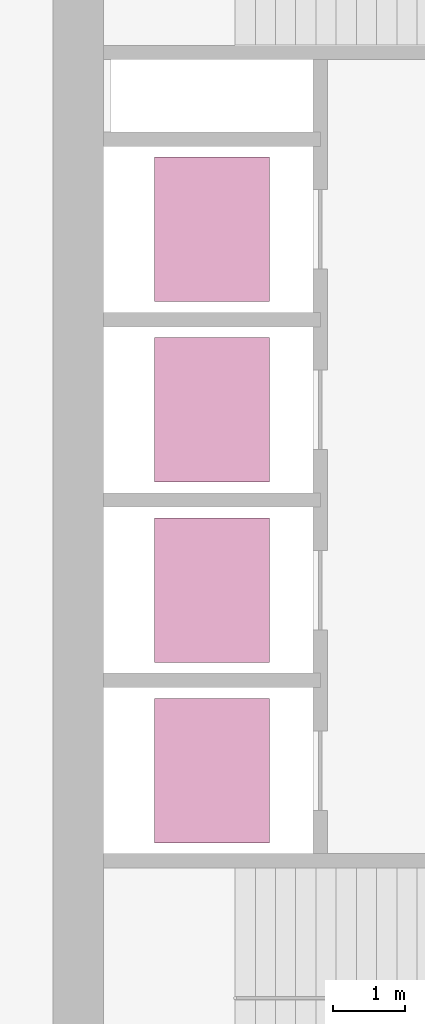
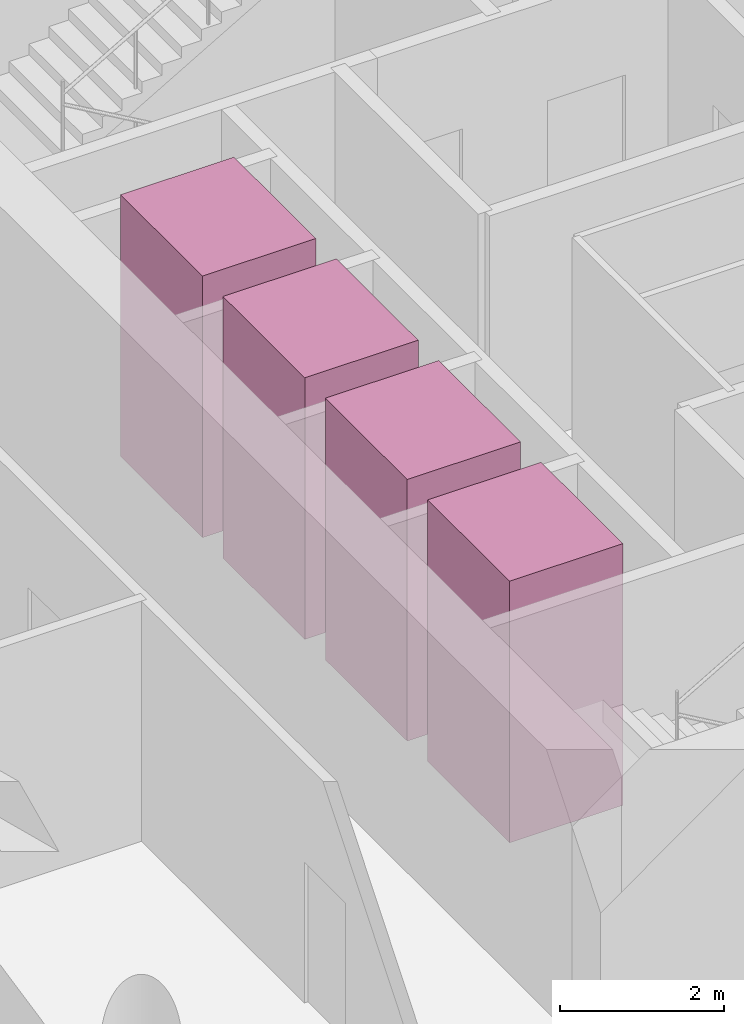
# One storey, part 9 of 9: 4 transport elements.
"""IFC4 building model written with IfcOpenShell, lengths in metres."""

from ifc_helpers import new_model, si_unit, direction, frame, origin, origin_2d, place, context, subcontext, project, spatial, rectangle, extrude, material, type_object, element, save


model = new_model("IFC4")

# Units and contexts
model_context = context("Model", 3, precision=1e-05, world=origin(), true_north=direction((0.0, 1.0)))
body_context = subcontext(model_context, "Body", "Model", "MODEL_VIEW")
ifc_project = project(units=[si_unit("LENGTHUNIT", "METRE"), si_unit("AREAUNIT", "SQUARE_METRE"), si_unit("VOLUMEUNIT", "CUBIC_METRE"), si_unit("PLANEANGLEUNIT", "RADIAN"), si_unit("MASSUNIT", "GRAM", prefix="KILO")], contexts=[model_context])

# Site, building, storey
site_placement = place(None, origin())
site = spatial("IfcSite", under=ifc_project, at=site_placement, CompositionType="ELEMENT")
building_placement = place(site_placement, origin())
building = spatial("IfcBuilding", under=site, at=building_placement, Name="Qaws Garden Tower", CompositionType="ELEMENT")
storey_placement = place(building_placement, frame((0.0, 0.0, 194.10009765625)))
storey = spatial("IfcBuildingStorey", under=building, at=storey_placement, Name="L47", CompositionType="ELEMENT", Elevation=194.10009765625)

# Transport elements
ifc_material = material(Name="Stainless steel 316", Category="steel")
transport_element_type = type_object("IfcTransportElementType", Name="Passenger lift car 2000x1600 1800 kg", PredefinedType="ELEVATOR", material=ifc_material)
for number, where, z_axis, x_axis, name in (
    (1, (10.199951171875, 13.64990234375, 0.0), (0.0, 0.0, 1.0), (1.0, 0.0, 0.0), "MR1"),
    (2, (10.199951171875, 16.14990234375, 0.0), (0.0, 0.0, 1.0), (1.0, 0.0, 0.0), "MR2"),
    (3, (10.199951171875, 18.64990234375, 0.0), (0.0, 0.0, 1.0), (1.0, 0.0, 0.0), "MR3"),
    (4, (10.199951171875, 21.14990234375, 0.0), (0.0, 0.0, 1.0), (1.0, 0.0, 0.0), "MR4"),
):
    element("IfcTransportElement", number, at=place(storey_placement, frame(where, z_axis=z_axis, x_axis=x_axis)), inside=storey, type_object=transport_element_type, Name=name, PredefinedType="ELEVATOR", context=body_context, shape_type="SweptSolid", body=[
        extrude(rectangle(XDim=1.60009765625, YDim=2.0, at=origin_2d()), origin(), (0.0, 0.0, 1.0), 3.89990234375),
    ])

save(model, "model.ifc")
